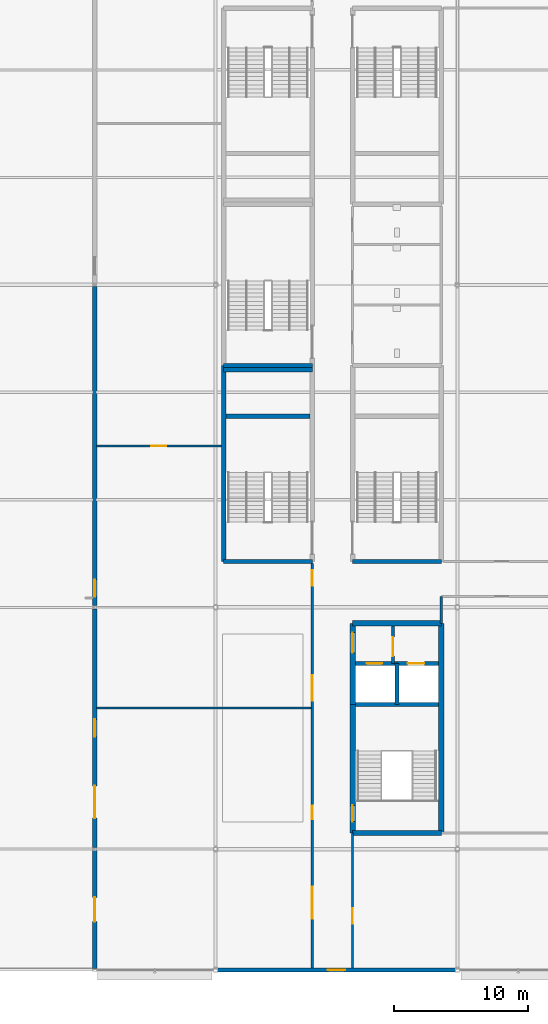
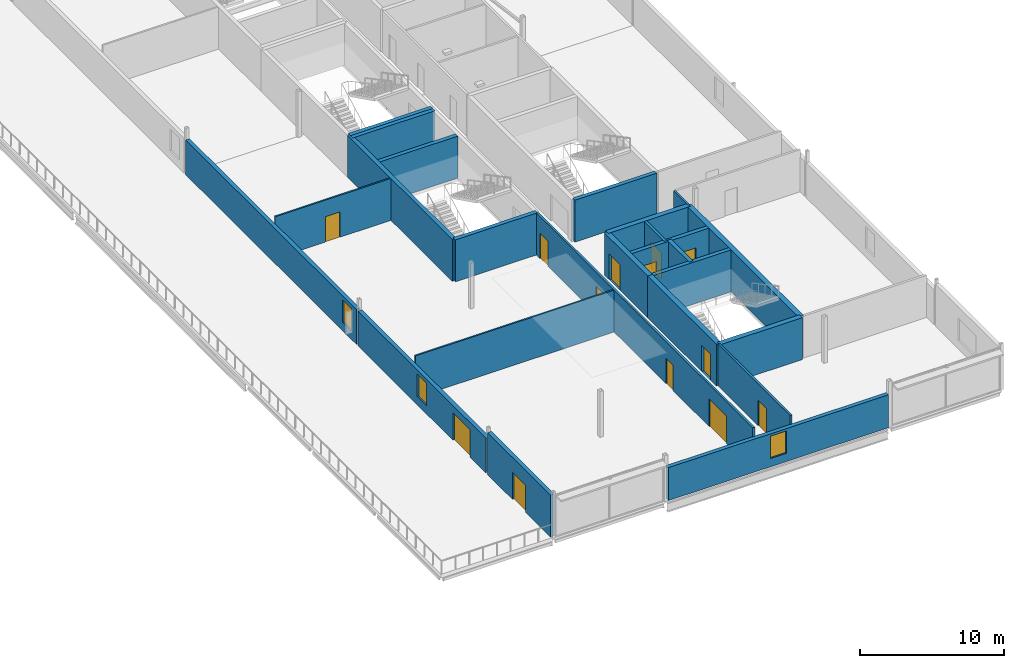
# One storey, part 31 of 55: 25 walls, 13 doors, 3 windows, 16 openings.
"""IFC4 building model written with IfcOpenShell, lengths in metres."""

from ifc_helpers import new_model, si_unit, direction, frame, frame_2d, origin, place, context, subcontext, project, spatial, rectangle, extrude, material, layer, layer_set, type_object, element, fill, save


model = new_model("IFC4")

# Units and contexts
model_context = context("Model", 3, precision=1e-05, world=origin(), true_north=direction((0.0, 1.0)))
body_context = subcontext(model_context, "Body", "Model", "MODEL_VIEW")
ifc_project = project(units=[si_unit("LENGTHUNIT", "METRE"), si_unit("AREAUNIT", "SQUARE_METRE"), si_unit("VOLUMEUNIT", "CUBIC_METRE"), si_unit("PLANEANGLEUNIT", "RADIAN"), si_unit("MASSUNIT", "GRAM", prefix="KILO")], contexts=[model_context])

# Site, building, storey
site_placement = place(None, origin())
site = spatial("IfcSite", under=ifc_project, at=site_placement, CompositionType="ELEMENT")
building_placement = place(site_placement, origin())
building = spatial("IfcBuilding", under=site, at=building_placement, Name="Kisiwana Market Hall", CompositionType="ELEMENT")
storey_placement = place(building_placement, frame((0.0, 0.0, 37.800048828125)))
storey = spatial("IfcBuildingStorey", under=building, at=storey_placement, Name="L08", CompositionType="ELEMENT", Elevation=37.800048828125)

# Wall, opening, door
ifc_material_1 = material(Name="Masonry blockwork", Category="masonry")
ifc_layer_1 = layer(ifc_material_1, 0.199951171875, Name="Plastered fire compartment block wall")
ifc_layer_set_1 = layer_set([ifc_layer_1], Name="WL-COMP-200")
wall_type_1 = type_object("IfcWallType", Name="WL-COMP-200", PredefinedType="PARTITIONING", material=ifc_layer_set_1)
wall_1_placement = place(storey_placement, frame((184.199951171875, 31.820068359375, 0.0), z_axis=(0.0, 0.0, 1.0), x_axis=(0.0, 1.0, 0.0)))
wall_1 = element("IfcWall", 1, at=wall_1_placement, inside=storey, type_object=wall_type_1, Name="Core E2 firefighting lobby wall W-2381", PredefinedType="PARTITIONING", context=body_context, shape_type="SweptSolid", body=[
    extrude(rectangle(XDim=2.780029296875, YDim=0.199951171875, at=frame_2d((1.39013671875, 0.0))), origin(), (0.0, 0.0, 1.0), 3.56494140625),
])
opening_1_placement = place(wall_1_placement, frame((0.550048828125, 0.0, 0.0)))
opening_1 = element("IfcOpeningElement", 2, at=opening_1_placement, cuts=wall_1, Name="Opening DR-L08-009", PredefinedType="OPENING", context=body_context, shape_type="SweptSolid", body=[
    extrude(rectangle(XDim=1.39990234375, YDim=2.25, at=frame_2d((0.699951171875, 1.125))), frame((0.0, 0.11181640625, 0.0), z_axis=(0.0, -1.0, 0.0), x_axis=(1.0, 0.0, 0.0)), (0.0, 0.0, 1.0), 0.223876953125),
])
ifc_material_2 = material(Name="Steel S275", Category="steel")
door_type_1 = type_object("IfcDoorType", Name="DR-FFLOB-FD120-1400", OperationType="DOUBLE_DOOR_SINGLE_SWING", PredefinedType="DOOR", material=ifc_material_2)
door_1_placement = place(opening_1_placement, origin())
door_1 = element("IfcDoor", 3, at=door_1_placement, inside=storey, type_object=door_type_1, Name="Firefighting Lift Lobby E2 Door (L08)", OperationType="DOUBLE_DOOR_SINGLE_SWING", OverallHeight=2.25, OverallWidth=1.39990234375, PredefinedType="DOOR", context=body_context, shape_type="SweptSolid", body=[
    extrude(rectangle(XDim=1.39990234375, YDim=2.25, at=frame_2d((0.699951171875, 1.125))), frame((0.0, 0.02490234375, 0.0), z_axis=(0.0, -1.0, 0.0), x_axis=(1.0, 0.0, 0.0)), (0.0, 0.0, 1.0), 0.050048828125),
])
fill(opening_1, door_1)

# Walls
ifc_material_3 = material(Name="Concrete C40/50", Category="concrete")
ifc_layer_2 = layer(ifc_material_3, 0.320068359375, Name="Reinforced concrete shaft wall")
ifc_layer_set_2 = layer_set([ifc_layer_2], Name="WL-CORE-320")
wall_type_2 = type_object("IfcWallType", Name="WL-CORE-320", PredefinedType="SHEAR", material=ifc_layer_set_2)
wall_2_placement = place(storey_placement, frame((181.39990234375, 28.760009765625, 0.0), z_axis=(0.0, 0.0, 1.0), x_axis=(1.0, 0.0, 0.0)))
element("IfcWall", 4, at=wall_2_placement, inside=storey, type_object=wall_type_2, Name="Core E2 shaft back shear wall W-2285", PredefinedType="SHEAR", context=body_context, shape_type="SweptSolid", body=[
    extrude(rectangle(XDim=6.2001953125, YDim=0.320068359375, at=frame_2d((3.10009765625, 0.0))), origin(), (0.0, 0.0, 1.0), 3.56494140625),
])
wall_3_placement = place(storey_placement, frame((184.5, 28.760009765625, 0.0), z_axis=(0.0, 0.0, 1.0), x_axis=(0.0, 1.0, 0.0)))
element("IfcWall", 5, at=wall_3_placement, inside=storey, type_object=wall_type_2, Name="Core E2 inter-shaft shear wall W-2286", PredefinedType="SHEAR", context=body_context, shape_type="SweptSolid", body=[
    extrude(rectangle(XDim=3.06005859375, YDim=0.320068359375, at=frame_2d((1.530029296875, 0.0))), origin(), (0.0, 0.0, 1.0), 3.56494140625),
])

# Wall, opening, door
wall_4_placement = place(storey_placement, frame((181.39990234375, 31.820068359375, 0.0), z_axis=(0.0, 0.0, 1.0), x_axis=(1.0, 0.0, 0.0)))
wall_4 = element("IfcWall", 6, at=wall_4_placement, inside=storey, type_object=wall_type_2, Name="Core E2 west lift front wall W-2287", PredefinedType="SHEAR", context=body_context, shape_type="SweptSolid", body=[
    extrude(rectangle(XDim=3.10009765625, YDim=0.320068359375, at=frame_2d((1.550048828125, 0.0))), origin(), (0.0, 0.0, 1.0), 3.56494140625),
])
opening_2_placement = place(wall_4_placement, frame((0.85009765625, 0.0, 0.0)))
opening_2 = element("IfcOpeningElement", 7, at=opening_2_placement, cuts=wall_4, Name="Opening LD-L08-005", PredefinedType="OPENING", context=body_context, shape_type="SweptSolid", body=[
    extrude(rectangle(XDim=1.14990234375, YDim=2.199951171875, at=frame_2d((0.574951171875, 1.10009765625))), frame((0.0, 0.171875, 0.0), z_axis=(0.0, -1.0, 0.0), x_axis=(1.0, 0.0, 0.0)), (0.0, 0.0, 1.0), 0.343994140625),
])
ifc_material_4 = material(Name="Steel S275", Category="steel")
door_type_2 = type_object("IfcDoorType", Name="DR-LIFT-PAX-1150", OperationType="DOUBLE_DOOR_SLIDING", PredefinedType="DOOR", material=ifc_material_4)
door_2_placement = place(opening_2_placement, origin())
door_2 = element("IfcDoor", 8, at=door_2_placement, inside=storey, type_object=door_type_2, Name="Lift Landing Door LP-03 (L08)", OperationType="DOUBLE_DOOR_SLIDING", OverallHeight=2.199951171875, OverallWidth=1.14990234375, PredefinedType="DOOR", context=body_context, shape_type="SweptSolid", body=[
    extrude(rectangle(XDim=1.14990234375, YDim=2.199951171875, at=frame_2d((0.574951171875, 1.10009765625))), frame((0.0, 0.02490234375, 0.0), z_axis=(0.0, -1.0, 0.0), x_axis=(1.0, 0.0, 0.0)), (0.0, 0.0, 1.0), 0.050048828125),
])
fill(opening_2, door_2)

wall_5_placement = place(storey_placement, frame((184.5, 31.820068359375, 0.0), z_axis=(0.0, 0.0, 1.0), x_axis=(1.0, 0.0, 0.0)))
wall_5 = element("IfcWall", 9, at=wall_5_placement, inside=storey, type_object=wall_type_2, Name="Core E2 east lift front wall W-2288", PredefinedType="SHEAR", context=body_context, shape_type="SweptSolid", body=[
    extrude(rectangle(XDim=3.10009765625, YDim=0.320068359375, at=frame_2d((1.550048828125, 0.0))), origin(), (0.0, 0.0, 1.0), 3.56494140625),
])
opening_3_placement = place(wall_5_placement, frame((0.800048828125, 0.0, 0.0)))
opening_3 = element("IfcOpeningElement", 10, at=opening_3_placement, cuts=wall_5, Name="Opening LD-L08-006", PredefinedType="OPENING", context=body_context, shape_type="SweptSolid", body=[
    extrude(rectangle(XDim=1.25, YDim=2.25, at=frame_2d((0.625, 1.125))), frame((0.0, 0.171875, 0.0), z_axis=(0.0, -1.0, 0.0), x_axis=(1.0, 0.0, 0.0)), (0.0, 0.0, 1.0), 0.343994140625),
])
ifc_material_5 = material(Name="Steel S275", Category="steel")
door_type_3 = type_object("IfcDoorType", Name="DR-LIFT-FFL-1250", OperationType="DOUBLE_DOOR_SLIDING", PredefinedType="DOOR", material=ifc_material_5)
door_3_placement = place(opening_3_placement, origin())
door_3 = element("IfcDoor", 11, at=door_3_placement, inside=storey, type_object=door_type_3, Name="Lift Landing Door FFL-03 (L08)", OperationType="DOUBLE_DOOR_SLIDING", OverallHeight=2.25, OverallWidth=1.25, PredefinedType="DOOR", context=body_context, shape_type="SweptSolid", body=[
    extrude(rectangle(XDim=1.25, YDim=2.25, at=frame_2d((0.625, 1.125))), frame((0.0, 0.02490234375, 0.0), z_axis=(0.0, -1.0, 0.0), x_axis=(1.0, 0.0, 0.0)), (0.0, 0.0, 1.0), 0.050048828125),
])
fill(opening_3, door_3)

# Walls
wall_6_placement = place(storey_placement, frame((181.199951171875, 39.39990234375, 0.0), z_axis=(0.0, 0.0, 1.0), x_axis=(1.0, 0.0, 0.0)))
element("IfcWall", 12, at=wall_6_placement, inside=storey, type_object=wall_type_2, Name="Core E3 south shear wall W-2308", PredefinedType="SHEAR", context=body_context, shape_type="SweptSolid", body=[
    extrude(rectangle(XDim=6.60009765625, YDim=0.320068359375, at=frame_2d((3.300048828125, 0.0))), origin(), (0.0, 0.0, 1.0), 3.56494140625),
])
for number, where, z_axis, x_axis, name in (
    (13, (171.60009765625, 39.39990234375, 0.0), (0.0, 0.0, 1.0), (1.0, 0.0, 0.0), "Core E7 south shear wall W-2323"),
    (14, (171.60009765625, 54.0, 0.0), (0.0, 0.0, 1.0), (1.0, 0.0, 0.0), "Core E7 north shear wall W-2324"),
):
    element("IfcWall", number, at=place(storey_placement, frame(where, z_axis=z_axis, x_axis=x_axis)), inside=storey, type_object=wall_type_2, Name=name, PredefinedType="SHEAR", context=body_context, shape_type="SweptSolid", body=[
        extrude(rectangle(XDim=6.599853515625, YDim=0.320068359375, at=frame_2d((3.2998046875, 0.0))), origin(), (0.0, 0.0, 1.0), 3.56494140625),
    ])
wall_7_placement = place(storey_placement, frame((171.60009765625, 39.39990234375, 0.0), z_axis=(0.0, 0.0, 1.0), x_axis=(0.0, 1.0, 0.0)))
element("IfcWall", 15, at=wall_7_placement, inside=storey, type_object=wall_type_2, Name="Core E7 outer shear wall W-2325", PredefinedType="SHEAR", context=body_context, shape_type="SweptSolid", body=[
    extrude(rectangle(XDim=14.60009765625, YDim=0.320068359375, at=frame_2d((7.300048828125, 0.0))), origin(), (0.0, 0.0, 1.0), 3.56494140625),
])
wall_8_placement = place(storey_placement, frame((171.760009765625, 50.219970703125, 0.0), z_axis=(0.0, 0.0, 1.0), x_axis=(1.0, 0.0, 0.0)))
element("IfcWall", 16, at=wall_8_placement, inside=storey, type_object=wall_type_2, Name="Core E7 riser divider shear wall W-2327", PredefinedType="SHEAR", context=body_context, shape_type="SweptSolid", body=[
    extrude(rectangle(XDim=6.280029296875, YDim=0.320068359375, at=frame_2d((3.14013671875, 0.0))), origin(), (0.0, 0.0, 1.0), 3.56494140625),
])
wall_9_placement = place(storey_placement, frame((171.60009765625, 53.679931640625, 0.0), z_axis=(0.0, 0.0, 1.0), x_axis=(1.0, 0.0, 0.0)))
element("IfcWall", 17, at=wall_9_placement, inside=storey, type_object=wall_type_2, Name="Core E5 south shear wall W-2342", PredefinedType="SHEAR", context=body_context, shape_type="SweptSolid", body=[
    extrude(rectangle(XDim=6.599853515625, YDim=0.320068359375, at=frame_2d((3.2998046875, 0.0))), origin(), (0.0, 0.0, 1.0), 3.56494140625),
])
ifc_material_6 = material(Name="Concrete C40/50", Category="concrete")
ifc_layer_3 = layer(ifc_material_6, 0.39990234375, Name="Reinforced concrete core wall")
ifc_layer_set_3 = layer_set([ifc_layer_3], Name="WL-CORE-400")
wall_type_3 = type_object("IfcWallType", Name="WL-CORE-400", PredefinedType="SHEAR", material=ifc_layer_set_3)
for number, where, z_axis, x_axis, name in (
    (18, (181.199951171875, 19.199951171875, 0.0), (0.0, 0.0, 1.0), (1.0, 0.0, 0.0), "Core E2 south shear wall W-2280"),
    (19, (181.199951171875, 34.800048828125, 0.0), (0.0, 0.0, 1.0), (1.0, 0.0, 0.0), "Core E2 north shear wall W-2281"),
):
    element("IfcWall", number, at=place(storey_placement, frame(where, z_axis=z_axis, x_axis=x_axis)), inside=storey, type_object=wall_type_3, Name=name, PredefinedType="SHEAR", context=body_context, shape_type="SweptSolid", body=[
        extrude(rectangle(XDim=6.60009765625, YDim=0.39990234375, at=frame_2d((3.300048828125, 0.0))), origin(), (0.0, 0.0, 1.0), 3.56494140625),
    ])
wall_10_placement = place(storey_placement, frame((187.800048828125, 19.199951171875, 0.0), z_axis=(0.0, 0.0, 1.0), x_axis=(0.0, 1.0, 0.0)))
element("IfcWall", 20, at=wall_10_placement, inside=storey, type_object=wall_type_3, Name="Core E2 outer shear wall W-2282", PredefinedType="SHEAR", context=body_context, shape_type="SweptSolid", body=[
    extrude(rectangle(XDim=15.60009765625, YDim=0.39990234375, at=frame_2d((7.800048828125, 0.0))), origin(), (0.0, 0.0, 1.0), 3.56494140625),
])

# Wall, opening, door
wall_11_placement = place(storey_placement, frame((181.199951171875, 19.199951171875, 0.0), z_axis=(0.0, 0.0, 1.0), x_axis=(0.0, 1.0, 0.0)))
wall_11 = element("IfcWall", 21, at=wall_11_placement, inside=storey, type_object=wall_type_3, Name="Core E2 stair corridor shear wall W-2283", PredefinedType="SHEAR", context=body_context, shape_type="SweptSolid", body=[
    extrude(rectangle(XDim=9.56005859375, YDim=0.39990234375, at=frame_2d((4.780029296875, 0.0))), origin(), (0.0, 0.0, 1.0), 3.56494140625),
])
opening_4_placement = place(wall_11_placement, frame((0.85009765625, 0.0, 0.0)))
opening_4 = element("IfcOpeningElement", 22, at=opening_4_placement, cuts=wall_11, Name="Opening DR-L08-007", PredefinedType="OPENING", context=body_context, shape_type="SweptSolid", body=[
    extrude(rectangle(XDim=1.199951171875, YDim=2.199951171875, at=frame_2d((0.60009765625, 1.10009765625))), frame((0.0, 0.2119140625, 0.0), z_axis=(0.0, -1.0, 0.0), x_axis=(1.0, 0.0, 0.0)), (0.0, 0.0, 1.0), 0.423828125),
])
ifc_material_7 = material(Name="Steel S275", Category="steel")
door_type_4 = type_object("IfcDoorType", Name="DR-STAIR-FD120-1200", OperationType="NOTDEFINED", PredefinedType="DOOR", material=ifc_material_7)
door_4_placement = place(opening_4_placement, frame((1.199951171875, 0.0, 0.0), z_axis=(0.0, 0.0, 1.0), x_axis=(-1.0, 0.0, 0.0)))
door_4 = element("IfcDoor", 23, at=door_4_placement, inside=storey, type_object=door_type_4, Name="Escape Stair E2 Fire Door (L08)", OperationType="SINGLE_SWING_RIGHT", OverallHeight=2.199951171875, OverallWidth=1.199951171875, PredefinedType="DOOR", context=body_context, shape_type="SweptSolid", body=[
    extrude(rectangle(XDim=1.199951171875, YDim=2.199951171875, at=frame_2d((0.60009765625, 1.10009765625))), frame((0.0, 0.02490234375, 0.0), z_axis=(0.0, -1.0, 0.0), x_axis=(1.0, 0.0, 0.0)), (0.0, 0.0, 1.0), 0.050048828125),
])
fill(opening_4, door_4)

wall_12_placement = place(storey_placement, frame((181.199951171875, 28.760009765625, 0.0), z_axis=(0.0, 0.0, 1.0), x_axis=(0.0, 1.0, 0.0)))
wall_12 = element("IfcWall", 24, at=wall_12_placement, inside=storey, type_object=wall_type_3, Name="Core E2 lobby corridor shear wall W-2284", PredefinedType="SHEAR", context=body_context, shape_type="SweptSolid", body=[
    extrude(rectangle(XDim=6.0400390625, YDim=0.39990234375, at=frame_2d((3.02001953125, 0.0))), origin(), (0.0, 0.0, 1.0), 3.56494140625),
])
opening_5_placement = place(wall_12_placement, frame((3.85009765625, 0.0, 0.0)))
opening_5 = element("IfcOpeningElement", 25, at=opening_5_placement, cuts=wall_12, Name="Opening DR-L08-008", PredefinedType="OPENING", context=body_context, shape_type="SweptSolid", body=[
    extrude(rectangle(XDim=1.5, YDim=2.199951171875, at=frame_2d((0.75, 1.10009765625))), frame((0.0, 0.2119140625, 0.0), z_axis=(0.0, -1.0, 0.0), x_axis=(1.0, 0.0, 0.0)), (0.0, 0.0, 1.0), 0.423828125),
])
ifc_material_8 = material(Name="Steel S275", Category="steel")
door_type_5 = type_object("IfcDoorType", Name="DR-CORR-FD60-1500", OperationType="DOUBLE_DOOR_SINGLE_SWING", PredefinedType="DOOR", material=ifc_material_8)
door_5_placement = place(opening_5_placement, origin())
door_5 = element("IfcDoor", 26, at=door_5_placement, inside=storey, type_object=door_type_5, Name="Passenger Lift Lobby E2 Smoke Door (L08)", OperationType="DOUBLE_DOOR_SINGLE_SWING", OverallHeight=2.199951171875, OverallWidth=1.5, PredefinedType="DOOR", context=body_context, shape_type="SweptSolid", body=[
    extrude(rectangle(XDim=1.5, YDim=2.199951171875, at=frame_2d((0.75, 1.10009765625))), frame((0.0, 0.02490234375, 0.0), z_axis=(0.0, -1.0, 0.0), x_axis=(1.0, 0.0, 0.0)), (0.0, 0.0, 1.0), 0.050048828125),
])
fill(opening_5, door_5)

ifc_material_9 = material(Name="Masonry blockwork", Category="masonry")
ifc_layer_4 = layer(ifc_material_9, 0.169921875, Name="Protected corridor partition")
ifc_layer_set_4 = layer_set([ifc_layer_4], Name="WL-CORR-170")
wall_type_4 = type_object("IfcWallType", Name="WL-CORR-170", PredefinedType="PARTITIONING", material=ifc_layer_set_4)
wall_13_placement = place(storey_placement, frame((181.199951171875, 9.14501953125, 0.0), z_axis=(0.0, 0.0, 1.0), x_axis=(0.0, 1.0, 0.0)))
wall_13 = element("IfcWall", 27, at=wall_13_placement, inside=storey, type_object=wall_type_4, Name="Interior partition W-2415", PredefinedType="PARTITIONING", context=body_context, shape_type="SweptSolid", body=[
    extrude(rectangle(XDim=10.054931640625, YDim=0.169921875, at=frame_2d((5.02734375, 0.0))), origin(), (0.0, 0.0, 1.0), 3.56494140625),
])
opening_6_placement = place(wall_13_placement, frame((3.300048828125, 0.0, 0.0)))
opening_6 = element("IfcOpeningElement", 28, at=opening_6_placement, cuts=wall_13, Name="Opening DR-L08-046", PredefinedType="OPENING", context=body_context, shape_type="SweptSolid", body=[
    extrude(rectangle(XDim=1.14990234375, YDim=2.14990234375, at=frame_2d((0.574951171875, 1.074951171875))), frame((0.0, 0.096923828125, 0.0), z_axis=(0.0, -1.0, 0.0), x_axis=(1.0, 0.0, 0.0)), (0.0, 0.0, 1.0), 0.19384765625),
])
ifc_material_10 = material(Name="Aluminium alloy 6063-T6", Category="aluminium")
door_type_6 = type_object("IfcDoorType", Name="DR-MEET-1150", OperationType="NOTDEFINED", PredefinedType="DOOR", material=ifc_material_10)
door_6_placement = place(opening_6_placement, frame((1.14990234375, 0.0, 0.0), z_axis=(0.0, 0.0, 1.0), x_axis=(-1.0, 0.0, 0.0)))
door_6 = element("IfcDoor", 29, at=door_6_placement, inside=storey, type_object=door_type_6, Name="L08 E Corner Office Suite South Door", OperationType="SINGLE_SWING_RIGHT", OverallHeight=2.14990234375, OverallWidth=1.14990234375, PredefinedType="DOOR", context=body_context, shape_type="SweptSolid", body=[
    extrude(rectangle(XDim=1.14990234375, YDim=2.14990234375, at=frame_2d((0.574951171875, 1.074951171875))), frame((0.0, 0.02490234375, 0.0), z_axis=(0.0, -1.0, 0.0), x_axis=(1.0, 0.0, 0.0)), (0.0, 0.0, 1.0), 0.050048828125),
])
fill(opening_6, door_6)

# Wall, openings, doors
wall_14_placement = place(storey_placement, frame((178.199951171875, 9.14501953125, 0.0), z_axis=(0.0, 0.0, 1.0), x_axis=(0.0, 1.0, 0.0)))
wall_14 = element("IfcWall", 30, at=wall_14_placement, inside=storey, type_object=wall_type_4, Name="Interior partition W-2421", PredefinedType="PARTITIONING", context=body_context, shape_type="SweptSolid", body=[
    extrude(rectangle(XDim=30.094970703125, YDim=0.169921875, at=frame_2d((15.04736328125, 0.0))), origin(), (0.0, 0.0, 1.0), 3.56494140625),
])
opening_7_placement = place(wall_14_placement, frame((11.06494140625, 0.0, 0.0)))
opening_7 = element("IfcOpeningElement", 31, at=opening_7_placement, cuts=wall_14, Name="Opening DR-L08-049", PredefinedType="OPENING", context=body_context, shape_type="SweptSolid", body=[
    extrude(rectangle(XDim=1.0, YDim=2.14990234375, at=frame_2d((0.5, 1.074951171875))), frame((0.0, 0.096923828125, 0.0), z_axis=(0.0, -1.0, 0.0), x_axis=(1.0, 0.0, 0.0)), (0.0, 0.0, 1.0), 0.19384765625),
])
opening_8_placement = place(wall_14_placement, frame((3.655029296875, 0.0, 0.0)))
opening_8 = element("IfcOpeningElement", 32, at=opening_8_placement, cuts=wall_14, Name="Opening DR-L08-050", PredefinedType="OPENING", context=body_context, shape_type="SweptSolid", body=[
    extrude(rectangle(XDim=2.39990234375, YDim=2.35009765625, at=frame_2d((1.199951171875, 1.175048828125))), frame((0.0, 0.096923828125, 0.0), z_axis=(0.0, -1.0, 0.0), x_axis=(1.0, 0.0, 0.0)), (0.0, 0.0, 1.0), 0.19384765625),
])
opening_9_placement = place(wall_14_placement, frame((28.465087890625, 0.0, 0.0)))
opening_9 = element("IfcOpeningElement", 33, at=opening_9_placement, cuts=wall_14, Name="Opening DR-L08-051", PredefinedType="OPENING", context=body_context, shape_type="SweptSolid", body=[
    extrude(rectangle(XDim=1.14990234375, YDim=2.14990234375, at=frame_2d((0.574951171875, 1.074951171875))), frame((0.0, 0.096923828125, 0.0), z_axis=(0.0, -1.0, 0.0), x_axis=(1.0, 0.0, 0.0)), (0.0, 0.0, 1.0), 0.19384765625),
])
opening_10_placement = place(wall_14_placement, frame((19.905029296875, 0.0, 0.0)))
opening_10 = element("IfcOpeningElement", 34, at=opening_10_placement, cuts=wall_14, Name="Opening DR-L08-052", PredefinedType="OPENING", context=body_context, shape_type="SweptSolid", body=[
    extrude(rectangle(XDim=1.89990234375, YDim=2.35009765625, at=frame_2d((0.949951171875, 1.175048828125))), frame((0.0, 0.096923828125, 0.0), z_axis=(0.0, -1.0, 0.0), x_axis=(1.0, 0.0, 0.0)), (0.0, 0.0, 1.0), 0.19384765625),
])
ifc_material_11 = material(Name="Steel S275", Category="steel")
door_type_7 = type_object("IfcDoorType", Name="DR-HALL-1900", OperationType="DOUBLE_DOOR_SINGLE_SWING", PredefinedType="DOOR", material=ifc_material_11)
door_7_placement = place(opening_10_placement, origin())
door_7 = element("IfcDoor", 35, at=door_7_placement, inside=storey, type_object=door_type_7, Name="L08 E Boardroom Suite M2 Exit Door", OperationType="DOUBLE_DOOR_SINGLE_SWING", OverallHeight=2.35009765625, OverallWidth=1.89990234375, PredefinedType="DOOR", context=body_context, shape_type="SweptSolid", body=[
    extrude(rectangle(XDim=1.89990234375, YDim=2.35009765625, at=frame_2d((0.949951171875, 1.175048828125))), frame((0.0, 0.02490234375, 0.0), z_axis=(0.0, -1.0, 0.0), x_axis=(1.0, 0.0, 0.0)), (0.0, 0.0, 1.0), 0.050048828125),
])
fill(opening_10, door_7)
ifc_material_12 = material(Name="Steel S275", Category="steel")
door_type_8 = type_object("IfcDoorType", Name="DR-HALL-2400", OperationType="DOUBLE_DOOR_SINGLE_SWING", PredefinedType="DOOR", material=ifc_material_12)
door_8_placement = place(opening_8_placement, origin())
door_8 = element("IfcDoor", 36, at=door_8_placement, inside=storey, type_object=door_type_8, Name="L08 E Mid-Rise Office Suite M1 Second Door", OperationType="DOUBLE_DOOR_SINGLE_SWING", OverallHeight=2.35009765625, OverallWidth=2.39990234375, PredefinedType="DOOR", context=body_context, shape_type="SweptSolid", body=[
    extrude(rectangle(XDim=2.39990234375, YDim=2.35009765625, at=frame_2d((1.199951171875, 1.175048828125))), frame((0.0, 0.02490234375, 0.0), z_axis=(0.0, -1.0, 0.0), x_axis=(1.0, 0.0, 0.0)), (0.0, 0.0, 1.0), 0.050048828125),
])
fill(opening_8, door_8)
door_9_placement = place(opening_9_placement, origin())
door_9 = element("IfcDoor", 37, at=door_9_placement, inside=storey, type_object=door_type_6, Name="L08 E Boardroom Suite M2 Door", OperationType="SINGLE_SWING_RIGHT", OverallHeight=2.14990234375, OverallWidth=1.14990234375, PredefinedType="DOOR", context=body_context, shape_type="SweptSolid", body=[
    extrude(rectangle(XDim=1.14990234375, YDim=2.14990234375, at=frame_2d((0.574951171875, 1.074951171875))), frame((0.0, 0.02490234375, 0.0), z_axis=(0.0, -1.0, 0.0), x_axis=(1.0, 0.0, 0.0)), (0.0, 0.0, 1.0), 0.050048828125),
])
fill(opening_9, door_9)
ifc_material_13 = material(Name="Aluminium alloy 6063-T6", Category="aluminium")
door_type_9 = type_object("IfcDoorType", Name="DR-OFF-1000", OperationType="NOTDEFINED", PredefinedType="DOOR", material=ifc_material_13)
door_10_placement = place(opening_7_placement, origin())
door_10 = element("IfcDoor", 38, at=door_10_placement, inside=storey, type_object=door_type_9, Name="L08 E Mid-Rise Office Suite M1 Door", OperationType="SINGLE_SWING_LEFT", OverallHeight=2.14990234375, OverallWidth=1.0, PredefinedType="DOOR", context=body_context, shape_type="SweptSolid", body=[
    extrude(rectangle(XDim=1.0, YDim=2.14990234375, at=frame_2d((0.5, 1.074951171875))), frame((0.0, 0.02490234375, 0.0), z_axis=(0.0, -1.0, 0.0), x_axis=(1.0, 0.0, 0.0)), (0.0, 0.0, 1.0), 0.050048828125),
])
fill(opening_7, door_10)

# Wall, opening, window
ifc_material_14 = material(Name="Concrete C40/50 precast", Category="concrete")
ifc_layer_5 = layer(ifc_material_14, 0.31494140625)
ifc_layer_set_5 = layer_set([ifc_layer_5], Name="WL-EXT-315")
wall_type_5 = type_object("IfcWallType", Name="WL-EXT-315", PredefinedType="STANDARD", material=ifc_layer_set_5)
wall_15_placement = place(storey_placement, frame((171.15380859375, 9.0, 0.0), z_axis=(0.0, 0.0, 1.0), x_axis=(1.0, 0.0, 0.0)))
wall_15 = element("IfcWall", 39, at=wall_15_placement, inside=storey, type_object=wall_type_5, Name="Exterior wall W-2349", PredefinedType="STANDARD", context=body_context, shape_type="SweptSolid", body=[
    extrude(rectangle(XDim=17.6923828125, YDim=0.31494140625, at=frame_2d((8.84619140625, 0.0))), origin(), (0.0, 0.0, 1.0), 2.802734375),
])
opening_11_placement = place(wall_15_placement, frame((8.1962890625, 0.0, 0.699951171875)))
opening_11 = element("IfcOpeningElement", 40, at=opening_11_placement, cuts=wall_15, Name="Opening WN-08", PredefinedType="OPENING", context=body_context, shape_type="SweptSolid", body=[
    extrude(rectangle(XDim=1.300048828125, YDim=1.89990234375, at=frame_2d((0.64990234375, 0.949951171875))), frame((0.0, 0.16943359375, 0.0), z_axis=(0.0, -1.0, 0.0), x_axis=(1.0, 0.0, 0.0)), (0.0, 0.0, 1.0), 0.3388671875),
])
ifc_material_15 = material(Name="Double-glazed solar-control low-E IGU", Category="glass")
window_type = type_object("IfcWindowType", Name="WN-OFFB-1300x1900", PartitioningType="SINGLE_PANEL", PredefinedType="WINDOW", material=ifc_material_15)
window_1_placement = place(opening_11_placement, origin())
window_1 = element("IfcWindow", 41, at=window_1_placement, inside=storey, type_object=window_type, Name="Exterior window WN-228", OverallHeight=1.89990234375, OverallWidth=1.300048828125, PartitioningType="SINGLE_PANEL", PredefinedType="WINDOW", context=body_context, shape_type="SweptSolid", body=[
    extrude(rectangle(XDim=1.300048828125, YDim=1.89990234375, at=frame_2d((0.64990234375, 0.949951171875))), frame((0.0, 0.030029296875, 0.0), z_axis=(0.0, -1.0, 0.0), x_axis=(1.0, 0.0, 0.0)), (0.0, 0.0, 1.0), 0.06005859375),
])
fill(opening_11, window_1)

# Wall, opening, door
wall_16_placement = place(storey_placement, frame((162.0, 9.114990234375, 0.0), z_axis=(0.0, 0.0, 1.0), x_axis=(0.0, 1.0, 0.0)))
wall_16 = element("IfcWall", 42, at=wall_16_placement, inside=storey, type_object=wall_type_5, Name="Exterior wall W-2367", PredefinedType="STANDARD", context=body_context, shape_type="SweptSolid", body=[
    extrude(rectangle(XDim=8.77001953125, YDim=0.31494140625, at=frame_2d((4.385009765625, 0.0))), origin(), (0.0, 0.0, 1.0), 3.56494140625),
])
opening_12_placement = place(wall_16_placement, frame((3.485107421875, 0.0, 0.0)))
opening_12 = element("IfcOpeningElement", 43, at=opening_12_placement, cuts=wall_16, Name="Opening DR-L08-988", PredefinedType="OPENING", context=body_context, shape_type="SweptSolid", body=[
    extrude(rectangle(XDim=1.800048828125, YDim=2.300048828125, at=frame_2d((0.89990234375, 1.14990234375))), frame((0.0, 0.16943359375, 0.0), z_axis=(0.0, -1.0, 0.0), x_axis=(1.0, 0.0, 0.0)), (0.0, 0.0, 1.0), 0.3388671875),
])
ifc_material_16 = material(Name="Aluminium alloy 6063-T6", Category="aluminium")
door_type_10 = type_object("IfcDoorType", Name="DR-EXT-TERR-1800", OperationType="DOUBLE_DOOR_SINGLE_SWING", PredefinedType="DOOR", material=ifc_material_16)
door_11_placement = place(opening_12_placement, frame((1.800048828125, 0.0, 0.0), z_axis=(0.0, 0.0, 1.0), x_axis=(-1.0, 0.0, 0.0)))
door_11 = element("IfcDoor", 44, at=door_11_placement, inside=storey, type_object=door_type_10, Name="Exterior terrace access door DR-L08-988", OperationType="DOUBLE_DOOR_SINGLE_SWING", OverallHeight=2.300048828125, OverallWidth=1.800048828125, PredefinedType="DOOR", context=body_context, shape_type="SweptSolid", body=[
    extrude(rectangle(XDim=1.800048828125, YDim=2.300048828125, at=frame_2d((0.89990234375, 1.14990234375))), frame((0.0, 0.02490234375, 0.0), z_axis=(0.0, -1.0, 0.0), x_axis=(1.0, 0.0, 0.0)), (0.0, 0.0, 1.0), 0.050048828125),
])
fill(opening_12, door_11)

# Wall, openings, door, window
wall_17_placement = place(storey_placement, frame((162.0, 18.114990234375, 0.0), z_axis=(0.0, 0.0, 1.0), x_axis=(0.0, 1.0, 0.0)))
wall_17 = element("IfcWall", 45, at=wall_17_placement, inside=storey, type_object=wall_type_5, Name="Exterior wall W-2368", PredefinedType="STANDARD", context=body_context, shape_type="SweptSolid", body=[
    extrude(rectangle(XDim=17.77001953125, YDim=0.31494140625, at=frame_2d((8.885009765625, 0.0))), origin(), (0.0, 0.0, 1.0), 2.95263671875),
])
opening_13_placement = place(wall_17_placement, frame((8.235107421875, 0.0, 0.699951171875)))
opening_13 = element("IfcOpeningElement", 46, at=opening_13_placement, cuts=wall_17, Name="Opening WN-08", PredefinedType="OPENING", context=body_context, shape_type="SweptSolid", body=[
    extrude(rectangle(XDim=1.300048828125, YDim=1.89990234375, at=frame_2d((0.64990234375, 0.949951171875))), frame((0.0, 0.16943359375, 0.0), z_axis=(0.0, -1.0, 0.0), x_axis=(1.0, 0.0, 0.0)), (0.0, 0.0, 1.0), 0.3388671875),
])
opening_14_placement = place(wall_17_placement, frame((2.18505859375, 0.0, 0.0)))
opening_14 = element("IfcOpeningElement", 47, at=opening_14_placement, cuts=wall_17, Name="Opening DR-L08-991", PredefinedType="OPENING", context=body_context, shape_type="SweptSolid", body=[
    extrude(rectangle(XDim=2.39990234375, YDim=2.35009765625, at=frame_2d((1.199951171875, 1.175048828125))), frame((0.0, 0.16943359375, 0.0), z_axis=(0.0, -1.0, 0.0), x_axis=(1.0, 0.0, 0.0)), (0.0, 0.0, 1.0), 0.3388671875),
])
ifc_material_17 = material(Name="Aluminium alloy 6063-T6", Category="aluminium")
door_type_11 = type_object("IfcDoorType", Name="DR-EXT-TERR-2400", OperationType="DOUBLE_DOOR_SINGLE_SWING", PredefinedType="DOOR", material=ifc_material_17)
door_12_placement = place(opening_14_placement, frame((2.39990234375, 0.0, 0.0), z_axis=(0.0, 0.0, 1.0), x_axis=(-1.0, 0.0, 0.0)))
door_12 = element("IfcDoor", 48, at=door_12_placement, inside=storey, type_object=door_type_11, Name="Exterior terrace access door DR-L08-991", OperationType="DOUBLE_DOOR_SINGLE_SWING", OverallHeight=2.35009765625, OverallWidth=2.39990234375, PredefinedType="DOOR", context=body_context, shape_type="SweptSolid", body=[
    extrude(rectangle(XDim=2.39990234375, YDim=2.35009765625, at=frame_2d((1.199951171875, 1.175048828125))), frame((0.0, 0.02490234375, 0.0), z_axis=(0.0, -1.0, 0.0), x_axis=(1.0, 0.0, 0.0)), (0.0, 0.0, 1.0), 0.050048828125),
])
fill(opening_14, door_12)
window_2_placement = place(opening_13_placement, origin())
window_2 = element("IfcWindow", 49, at=window_2_placement, inside=storey, type_object=window_type, Name="Exterior window WN-239", OverallHeight=1.89990234375, OverallWidth=1.300048828125, PartitioningType="SINGLE_PANEL", PredefinedType="WINDOW", context=body_context, shape_type="SweptSolid", body=[
    extrude(rectangle(XDim=1.300048828125, YDim=1.89990234375, at=frame_2d((0.64990234375, 0.949951171875))), frame((0.0, 0.030029296875, 0.0), z_axis=(0.0, -1.0, 0.0), x_axis=(1.0, 0.0, 0.0)), (0.0, 0.0, 1.0), 0.06005859375),
])
fill(opening_13, window_2)

# Wall, opening, window
wall_18_placement = place(storey_placement, frame((162.0, 36.114990234375, 0.0), z_axis=(0.0, 0.0, 1.0), x_axis=(0.0, 1.0, 0.0)))
wall_18 = element("IfcWall", 50, at=wall_18_placement, inside=storey, type_object=wall_type_5, Name="Exterior wall W-2369", PredefinedType="STANDARD", context=body_context, shape_type="SweptSolid", body=[
    extrude(rectangle(XDim=23.77001953125, YDim=0.31494140625, at=frame_2d((11.885009765625, 0.0))), origin(), (0.0, 0.0, 1.0), 2.95263671875),
])
opening_15_placement = place(wall_18_placement, frame((0.64990234375, 0.0, 0.699951171875)))
opening_15 = element("IfcOpeningElement", 51, at=opening_15_placement, cuts=wall_18, Name="Opening WN-08", PredefinedType="OPENING", context=body_context, shape_type="SweptSolid", body=[
    extrude(rectangle(XDim=1.300048828125, YDim=1.89990234375, at=frame_2d((0.64990234375, 0.949951171875))), frame((0.0, 0.16943359375, 0.0), z_axis=(0.0, -1.0, 0.0), x_axis=(1.0, 0.0, 0.0)), (0.0, 0.0, 1.0), 0.3388671875),
])
window_3_placement = place(opening_15_placement, origin())
window_3 = element("IfcWindow", 52, at=window_3_placement, inside=storey, type_object=window_type, Name="Exterior window WN-240", OverallHeight=1.89990234375, OverallWidth=1.300048828125, PartitioningType="SINGLE_PANEL", PredefinedType="WINDOW", context=body_context, shape_type="SweptSolid", body=[
    extrude(rectangle(XDim=1.300048828125, YDim=1.89990234375, at=frame_2d((0.64990234375, 0.949951171875))), frame((0.0, 0.030029296875, 0.0), z_axis=(0.0, -1.0, 0.0), x_axis=(1.0, 0.0, 0.0)), (0.0, 0.0, 1.0), 0.06005859375),
])
fill(opening_15, window_3)

# Wall
ifc_material_18 = material(Name="Gypsum plasterboard")
ifc_layer_6 = layer(ifc_material_18, 0.125, Name="Double gypsum board + acoustic stud")
ifc_layer_set_6 = layer_set([ifc_layer_6], Name="WL-OFF-125")
wall_type_6 = type_object("IfcWallType", Name="WL-OFF-125", PredefinedType="PARTITIONING", material=ifc_layer_set_6)
wall_19_placement = place(storey_placement, frame((162.14501953125, 28.5, 0.0), z_axis=(0.0, 0.0, 1.0), x_axis=(1.0, 0.0, 0.0)))
element("IfcWall", 53, at=wall_19_placement, inside=storey, type_object=wall_type_6, Name="Interior partition W-2417", PredefinedType="PARTITIONING", context=body_context, shape_type="SweptSolid", body=[
    extrude(rectangle(XDim=15.969970703125, YDim=0.125, at=frame_2d((7.98486328125, 0.0))), origin(), (0.0, 0.0, 1.0), 3.56494140625),
])

# Wall, opening, door
wall_20_placement = place(storey_placement, frame((162.14501953125, 48.0, 0.0), z_axis=(0.0, 0.0, 1.0), x_axis=(1.0, 0.0, 0.0)))
wall_20 = element("IfcWall", 54, at=wall_20_placement, inside=storey, type_object=wall_type_6, Name="Interior partition W-2418", PredefinedType="PARTITIONING", context=body_context, shape_type="SweptSolid", body=[
    extrude(rectangle(XDim=9.294921875, YDim=0.125, at=frame_2d((4.6474609375, 0.0))), origin(), (0.0, 0.0, 1.0), 3.56494140625),
])
opening_16_placement = place(wall_20_placement, frame((4.050048828125, 0.0, 0.0)))
opening_16 = element("IfcOpeningElement", 55, at=opening_16_placement, cuts=wall_20, Name="Opening DR-L08-048", PredefinedType="OPENING", context=body_context, shape_type="SweptSolid", body=[
    extrude(rectangle(XDim=1.14990234375, YDim=2.14990234375, at=frame_2d((0.574951171875, 1.074951171875))), frame((0.0, 0.074462890625, 0.0), z_axis=(0.0, -1.0, 0.0), x_axis=(1.0, 0.0, 0.0)), (0.0, 0.0, 1.0), 0.14892578125),
])
door_13_placement = place(opening_16_placement, origin())
door_13 = element("IfcDoor", 56, at=door_13_placement, inside=storey, type_object=door_type_6, Name="L08 E Engineering Design Studio M3 Door", OperationType="SINGLE_SWING_LEFT", OverallHeight=2.14990234375, OverallWidth=1.14990234375, PredefinedType="DOOR", context=body_context, shape_type="SweptSolid", body=[
    extrude(rectangle(XDim=1.14990234375, YDim=2.14990234375, at=frame_2d((0.574951171875, 1.074951171875))), frame((0.0, 0.02490234375, 0.0), z_axis=(0.0, -1.0, 0.0), x_axis=(1.0, 0.0, 0.0)), (0.0, 0.0, 1.0), 0.050048828125),
])
fill(opening_16, door_13)

# Wall
ifc_material_19 = material(Name="Masonry blockwork", Category="masonry")
ifc_layer_7 = layer(ifc_material_19, 0.159912109375)
ifc_layer_set_7 = layer_set([ifc_layer_7], Name="WL-PART-160")
wall_type_7 = type_object("IfcWallType", Name="WL-PART-160", PredefinedType="PARTITIONING", material=ifc_layer_set_7)
wall_21_placement = place(storey_placement, frame((187.800048828125, 34.800048828125, 0.0), z_axis=(0.0, 0.0, 1.0), x_axis=(0.0, 1.0, 0.0)))
element("IfcWall", 57, at=wall_21_placement, inside=storey, type_object=wall_type_7, Name="Interior partition W-2407", PredefinedType="PARTITIONING", context=body_context, shape_type="SweptSolid", body=[
    extrude(rectangle(XDim=2.0, YDim=0.159912109375, at=frame_2d((1.0, 0.0))), origin(), (0.0, 0.0, 1.0), 3.56494140625),
])

save(model, "model.ifc")
